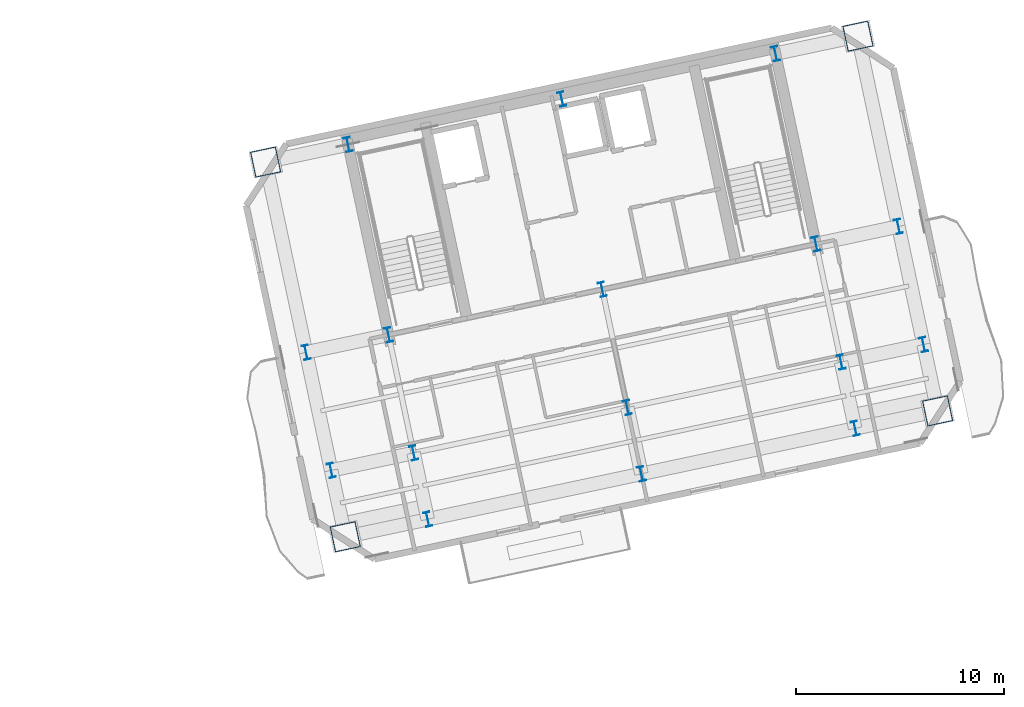
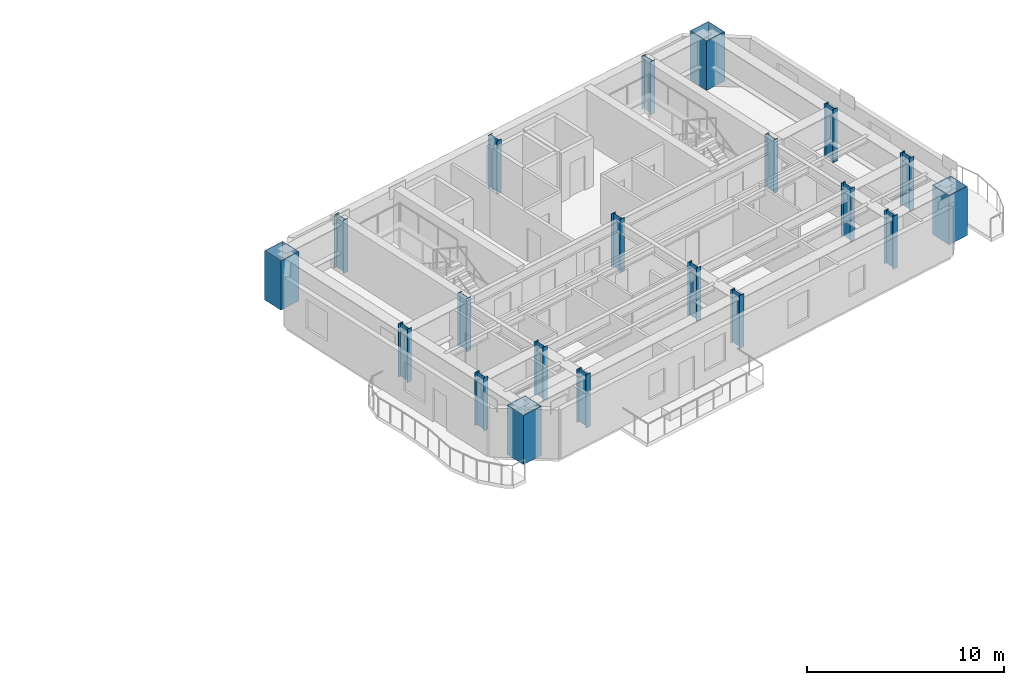
# One storey, part 2 of 16: 20 columns.
"""IFC4 building model written with IfcOpenShell, lengths in metres."""

from ifc_helpers import new_model, si_unit, direction, frame, origin, origin_2d, place, context, subcontext, project, spatial, hollow_rectangle, i_section, extrude, material, material_profile, profile_set, type_object, element, save


model = new_model("IFC4")

# Units and contexts
model_context = context("Model", 3, precision=1e-05, world=origin(), true_north=direction((0.0, 1.0)))
body_context = subcontext(model_context, "Body", "Model", "MODEL_VIEW")
ifc_project = project(units=[si_unit("LENGTHUNIT", "METRE"), si_unit("AREAUNIT", "SQUARE_METRE"), si_unit("VOLUMEUNIT", "CUBIC_METRE"), si_unit("PLANEANGLEUNIT", "RADIAN"), si_unit("MASSUNIT", "GRAM", prefix="KILO")], contexts=[model_context])

# Site, building, storey
site_placement = place(None, origin())
site = spatial("IfcSite", under=ifc_project, at=site_placement, CompositionType="ELEMENT")
building_placement = place(site_placement, origin())
building = spatial("IfcBuilding", under=site, at=building_placement, Name="Haevon Station Towers", CompositionType="ELEMENT")
storey_placement = place(building_placement, frame((0.0, 0.0, 172.5)))
storey = spatial("IfcBuildingStorey", under=building, at=storey_placement, Name="L47", CompositionType="ELEMENT", Elevation=172.5)

# Columns
ifc_material_1 = material(Name="Steel S460", Category="steel")
ifc_material_profile_1 = material_profile(ifc_material_1, hollow_rectangle(XDim=1.25, YDim=1.25, WallThickness=0.034912109375, at=origin_2d()), Name="BOX-1250x1250x35")
ifc_profile_set_1 = profile_set([ifc_material_profile_1], Name="Steel S460")
column_type_1 = type_object("IfcColumnType", Name="COL-MC4", PredefinedType="COLUMN", material=ifc_profile_set_1)
for number, where, z_axis, x_axis, name in (
    (1, (96.674560546875, 27.73828125, 0.0), (0.0, 0.0, 1.0), (0.978147600734, 0.207911690818, 0.0), "COL-T2-L47-01-01"),
    (2, (92.846923828125, 45.74609375, 0.0), (0.0, 0.0, 1.0), (0.978147600734, 0.207911690818, 0.0), "COL-T2-L47-01-04"),
    (3, (125.138671875, 33.78857421875, 0.0), (0.0, 0.0, 1.0), (0.978147600734, 0.207911690818, 0.0), "COL-T2-L47-05-01"),
    (4, (121.31103515625, 51.79638671875, 0.0), (0.0, 0.0, 1.0), (0.978147600734, 0.207911690818, 0.0), "COL-T2-L47-05-04"),
):
    element("IfcColumn", number, at=place(storey_placement, frame(where, z_axis=z_axis, x_axis=x_axis)), inside=storey, type_object=column_type_1, Name=name, PredefinedType="COLUMN", context=body_context, shape_type="SweptSolid", body=[
        extrude(hollow_rectangle(XDim=1.25, YDim=1.25, WallThickness=0.034912109375, at=origin_2d()), origin(), (0.0, 0.0, 1.0), 3.050048828125),
    ])
ifc_material_2 = material(Name="Steel S355", Category="steel")
ifc_material_profile_2 = material_profile(ifc_material_2, i_section(OverallWidth=0.300048828125, OverallDepth=0.699951171875, WebThickness=0.01611328125, FlangeThickness=0.028076171875, at=origin_2d()), Name="H-700x300x16x28")
ifc_profile_set_2 = profile_set([ifc_material_profile_2], Name="Steel S355")
column_type_2 = type_object("IfcColumnType", Name="COL-TW3", PredefinedType="COLUMN", material=ifc_profile_set_2)
for number, where, z_axis, x_axis, name in (
    (5, (95.996826171875, 30.927001953125, 0.0), (0.0, 0.0, 1.0), (0.978147600734, 0.207911690818, 0.0), "COL-T2-L47-01-02"),
    (6, (94.790771484375, 36.600341796875, 0.0), (0.0, 0.0, 1.0), (0.978147600734, 0.207911690818, 0.0), "COL-T2-L47-01-03"),
    (7, (100.635986328125, 28.580322265625, 0.0), (0.0, 0.0, 1.0), (0.978147600734, 0.207911690818, 0.0), "COL-T2-L47-02-01"),
    (8, (99.958251953125, 31.76904296875, 0.0), (0.0, 0.0, 1.0), (0.978147600734, 0.207911690818, 0.0), "COL-T2-L47-02-02"),
    (9, (98.75244140625, 37.4423828125, 0.0), (0.0, 0.0, 1.0), (0.978147600734, 0.207911690818, 0.0), "COL-T2-L47-02-03"),
    (10, (96.808349609375, 46.588134765625, 0.0), (0.0, 0.0, 1.0), (0.978147600734, 0.207911690818, 0.0), "COL-T2-L47-02-04"),
    (11, (110.906494140625, 30.763427734375, 0.0), (0.0, 0.0, 1.0), (0.978147600734, 0.207911690818, 0.0), "COL-T2-L47-03-01"),
    (12, (110.228759765625, 33.9521484375, 0.0), (0.0, 0.0, 1.0), (0.978147600734, 0.207911690818, 0.0), "COL-T2-L47-03-02"),
    (13, (109.02294921875, 39.62548828125, 0.0), (0.0, 0.0, 1.0), (0.978147600734, 0.207911690818, 0.0), "COL-T2-L47-03-03"),
    (14, (107.078857421875, 48.771240234375, 0.0), (0.0, 0.0, 1.0), (0.978147600734, 0.207911690818, 0.0), "COL-T2-L47-03-04"),
    (15, (121.17724609375, 32.946533203125, 0.0), (0.0, 0.0, 1.0), (0.978147600734, 0.207911690818, 0.0), "COL-T2-L47-04-01"),
    (16, (120.499267578125, 36.13525390625, 0.0), (0.0, 0.0, 1.0), (0.978147600734, 0.207911690818, 0.0), "COL-T2-L47-04-02"),
    (17, (119.29345703125, 41.80859375, 0.0), (0.0, 0.0, 1.0), (0.978147600734, 0.207911690818, 0.0), "COL-T2-L47-04-03"),
    (18, (117.349365234375, 50.954345703125, 0.0), (0.0, 0.0, 1.0), (0.978147600734, 0.207911690818, 0.0), "COL-T2-L47-04-04"),
    (19, (124.4609375, 36.977294921875, 0.0), (0.0, 0.0, 1.0), (0.978147600734, 0.207911690818, 0.0), "COL-T2-L47-05-02"),
    (20, (123.2548828125, 42.650634765625, 0.0), (0.0, 0.0, 1.0), (0.978147600734, 0.207911690818, 0.0), "COL-T2-L47-05-03"),
):
    element("IfcColumn", number, at=place(storey_placement, frame(where, z_axis=z_axis, x_axis=x_axis)), inside=storey, type_object=column_type_2, Name=name, PredefinedType="COLUMN", context=body_context, shape_type="SweptSolid", body=[
        extrude(i_section(OverallWidth=0.300048828125, OverallDepth=0.699951171875, WebThickness=0.01611328125, FlangeThickness=0.028076171875, at=origin_2d()), origin(), (0.0, 0.0, 1.0), 3.300048828125),
    ])

save(model, "model.ifc")
